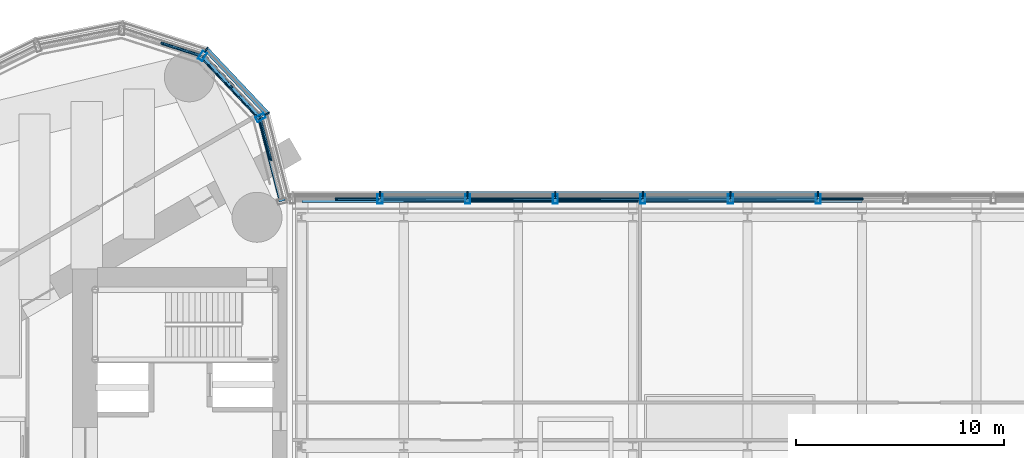
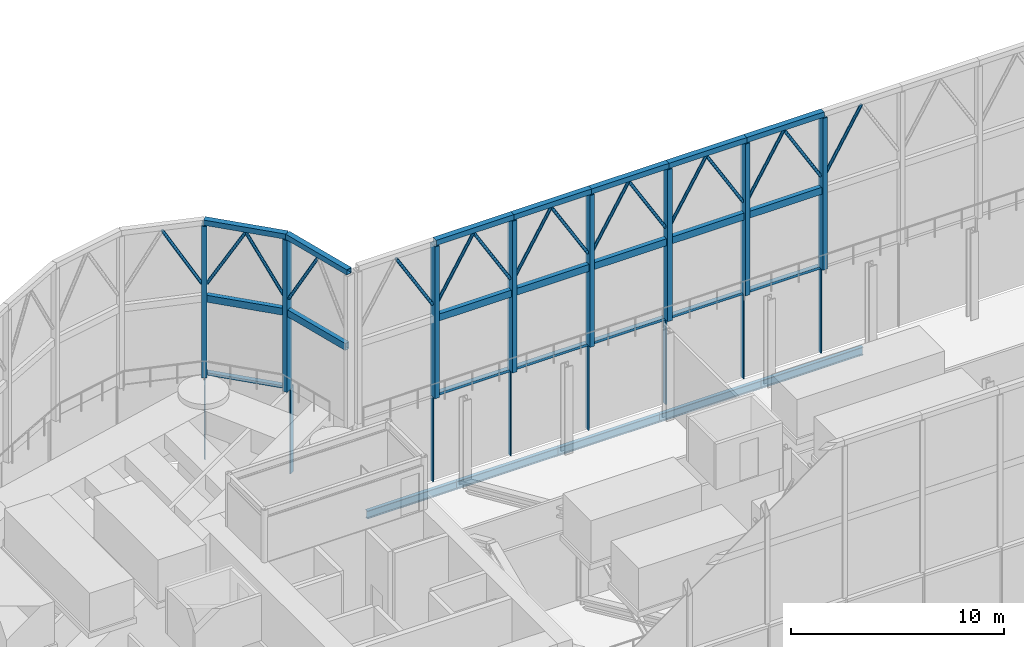
# One storey, part 13 of 33: 52 members, 5 beams, 4 elements without a shape of their own.
"""IFC4 building model written with IfcOpenShell, lengths in metres."""

from ifc_helpers import new_model, si_unit, direction, frame, origin, origin_2d, place, context, subcontext, project, spatial, rectangle, hollow_rectangle, hollow_circle, i_section, extrude, material, material_profile, profile_set, type_object, element, aggregate, save


model = new_model("IFC4")

# Units and contexts
model_context = context("Model", 3, precision=1e-05, world=origin(), true_north=direction((0.0, 1.0)))
body_context = subcontext(model_context, "Body", "Model", "MODEL_VIEW")
ifc_project = project(units=[si_unit("LENGTHUNIT", "METRE"), si_unit("AREAUNIT", "SQUARE_METRE"), si_unit("VOLUMEUNIT", "CUBIC_METRE"), si_unit("PLANEANGLEUNIT", "RADIAN"), si_unit("MASSUNIT", "GRAM", prefix="KILO")], contexts=[model_context])

# Site, building, storey
site_placement = place(None, origin())
site = spatial("IfcSite", under=ifc_project, at=site_placement, CompositionType="ELEMENT")
building_placement = place(site_placement, origin())
building = spatial("IfcBuilding", under=site, at=building_placement, Name="Lancet Gate Hotel", CompositionType="ELEMENT")
storey_placement = place(building_placement, frame((0.0, 0.0, 268.300048828125)))
storey = spatial("IfcBuildingStorey", under=building, at=storey_placement, Name="L70", CompositionType="ELEMENT", Elevation=268.300048828125)

# Curtain wall, members
ifc_material_1 = material(Name="Aluminium curtain wall", Category="aluminium")
curtain_wall_type_1 = type_object("IfcCurtainWallType", Name="Lantern crown glazing", PredefinedType="USERDEFINED", material=ifc_material_1)
curtain_wall_1_placement = place(storey_placement, origin())
curtain_wall_1 = element("IfcCurtainWall", 1, at=curtain_wall_1_placement, inside=storey, type_object=curtain_wall_type_1, Name="T1 L70 curtain wall 1", ObjectType="LANTERN GLAZING", PredefinedType="USERDEFINED")
ifc_material_2 = material(Name="Aluminium mullion", Category="aluminium")
ifc_material_profile_1 = material_profile(ifc_material_2, rectangle(XDim=0.06494140625, YDim=0.25, at=origin_2d()), Name="MULLION 65x250")
ifc_profile_set_1 = profile_set([ifc_material_profile_1], Name="Aluminium mullion")
member_type_1 = type_object("IfcMemberType", Name="Aluminium mullion 65x250", PredefinedType="MULLION", material=ifc_profile_set_1)
member_1_placement = place(storey_placement, frame((-28.56005859375, 15.97216796875, 0.0), z_axis=(0.0, 0.0, 1.0), x_axis=(-0.483627322447, 0.875274021654, 0.0)))
member_1 = element("IfcMember", 2, at=member_1_placement, type_object=member_type_1, Name="T1 L70 curtain wall 1 mullion 2", PredefinedType="MULLION", context=body_context, shape_type="SweptSolid", body=[
    extrude(rectangle(XDim=0.06494140625, YDim=0.25, at=origin_2d()), origin(), (0.0, 0.0, 1.0), 5.0),
])
member_2_placement = place(storey_placement, frame((-31.476318359375, 19.0576171875, 0.0), z_axis=(0.0, 0.0, 1.0), x_axis=(-0.846612863, 0.532209225966, 0.0)))
member_2 = element("IfcMember", 3, at=member_2_placement, type_object=member_type_1, Name="T1 L70 curtain wall 1 mullion 3", PredefinedType="MULLION", context=body_context, shape_type="SweptSolid", body=[
    extrude(rectangle(XDim=0.06494140625, YDim=0.25, at=origin_2d()), origin(), (0.0, 0.0, 1.0), 5.0),
])

curtain_wall_2_placement = place(storey_placement, origin())
curtain_wall_2 = element("IfcCurtainWall", 4, at=curtain_wall_2_placement, inside=storey, type_object=curtain_wall_type_1, Name="Bridge block L70 curtain wall N", ObjectType="LANTERN GLAZING", PredefinedType="USERDEFINED")
member_3_placement = place(storey_placement, frame((-2.103759765625, 12.1201171875, 0.0), z_axis=(0.0, 0.0, 1.0), x_axis=(-1.0, 0.0, 0.0)))
member_3 = element("IfcMember", 5, at=member_3_placement, type_object=member_type_1, Name="Bridge block L70 curtain wall N mullion 8", PredefinedType="MULLION", context=body_context, shape_type="SweptSolid", body=[
    extrude(rectangle(XDim=0.06494140625, YDim=0.25, at=origin_2d()), origin(), (0.0, 0.0, 1.0), 5.0),
])
member_4_placement = place(storey_placement, frame((-6.3115234375, 12.1201171875, 0.0), z_axis=(0.0, 0.0, 1.0), x_axis=(-1.0, 0.0, 0.0)))
member_4 = element("IfcMember", 6, at=member_4_placement, type_object=member_type_1, Name="Bridge block L70 curtain wall N mullion 9", PredefinedType="MULLION", context=body_context, shape_type="SweptSolid", body=[
    extrude(rectangle(XDim=0.06494140625, YDim=0.25, at=origin_2d()), origin(), (0.0, 0.0, 1.0), 5.0),
])
member_5_placement = place(storey_placement, frame((-10.519287109375, 12.1201171875, 0.0), z_axis=(0.0, 0.0, 1.0), x_axis=(-1.0, 0.0, 0.0)))
member_5 = element("IfcMember", 7, at=member_5_placement, type_object=member_type_1, Name="Bridge block L70 curtain wall N mullion 10", PredefinedType="MULLION", context=body_context, shape_type="SweptSolid", body=[
    extrude(rectangle(XDim=0.06494140625, YDim=0.25, at=origin_2d()), origin(), (0.0, 0.0, 1.0), 5.0),
])
member_6_placement = place(storey_placement, frame((-14.726806640625, 12.1201171875, 0.0), z_axis=(0.0, 0.0, 1.0), x_axis=(-1.0, 0.0, 0.0)))
member_6 = element("IfcMember", 8, at=member_6_placement, type_object=member_type_1, Name="Bridge block L70 curtain wall N mullion 11", PredefinedType="MULLION", context=body_context, shape_type="SweptSolid", body=[
    extrude(rectangle(XDim=0.06494140625, YDim=0.25, at=origin_2d()), origin(), (0.0, 0.0, 1.0), 5.0),
])
member_7_placement = place(storey_placement, frame((-18.9345703125, 12.1201171875, 0.0), z_axis=(0.0, 0.0, 1.0), x_axis=(-1.0, 0.0, 0.0)))
member_7 = element("IfcMember", 9, at=member_7_placement, type_object=member_type_1, Name="Bridge block L70 curtain wall N mullion 12", PredefinedType="MULLION", context=body_context, shape_type="SweptSolid", body=[
    extrude(rectangle(XDim=0.06494140625, YDim=0.25, at=origin_2d()), origin(), (0.0, 0.0, 1.0), 5.0),
])
member_8_placement = place(storey_placement, frame((-23.142333984375, 12.1201171875, 0.0), z_axis=(0.0, 0.0, 1.0), x_axis=(-1.0, 0.0, 0.0)))
member_8 = element("IfcMember", 10, at=member_8_placement, type_object=member_type_1, Name="Bridge block L70 curtain wall N mullion 13", PredefinedType="MULLION", context=body_context, shape_type="SweptSolid", body=[
    extrude(rectangle(XDim=0.06494140625, YDim=0.25, at=origin_2d()), origin(), (0.0, 0.0, 1.0), 5.0),
])

# Member
ifc_material_3 = material(Name="Aluminium transom", Category="aluminium")
ifc_material_profile_2 = material_profile(ifc_material_3, rectangle(XDim=0.25, YDim=0.14990234375, at=origin_2d()), Name="TRANSOM 250x150")
ifc_profile_set_2 = profile_set([ifc_material_profile_2], Name="Aluminium transom")
member_type_2 = type_object("IfcMemberType", Name="Aluminium transom 250x150", PredefinedType="USERDEFINED", material=ifc_profile_set_2)
member_9_placement = place(storey_placement, frame((-28.58251953125, 15.995849609375, 4.925048828125), z_axis=(-0.686880731091, 0.726770157103, 0.0), x_axis=(-0.726770157103, -0.686880731091, 0.0)))
member_9 = element("IfcMember", 11, at=member_9_placement, type_object=member_type_2, Name="T1 L70 curtain wall 1 transom 2", ObjectType="TRANSOM", PredefinedType="USERDEFINED", context=body_context, shape_type="SweptSolid", body=[
    extrude(rectangle(XDim=0.25, YDim=0.14990234375, at=origin_2d()), origin(), (0.0, 0.0, 1.0), 4.18017578125),
])

aggregate(curtain_wall_1, [member_1, member_2, member_9])

member_10_placement = place(storey_placement, frame((-2.13623046875, 12.1201171875, 4.925048828125), z_axis=(-1.0, 0.0, 0.0), x_axis=(0.0, -1.0, 0.0)))
member_10 = element("IfcMember", 12, at=member_10_placement, type_object=member_type_2, Name="Bridge block L70 curtain wall N transom 8", ObjectType="TRANSOM", PredefinedType="USERDEFINED", context=body_context, shape_type="SweptSolid", body=[
    extrude(rectangle(XDim=0.25, YDim=0.14990234375, at=origin_2d()), origin(), (0.0, 0.0, 1.0), 4.142822265625),
])

member_11_placement = place(storey_placement, frame((-6.343994140625, 12.1201171875, 4.925048828125), z_axis=(-1.0, 0.0, 0.0), x_axis=(0.0, -1.0, 0.0)))
member_11 = element("IfcMember", 13, at=member_11_placement, type_object=member_type_2, Name="Bridge block L70 curtain wall N transom 9", ObjectType="TRANSOM", PredefinedType="USERDEFINED", context=body_context, shape_type="SweptSolid", body=[
    extrude(rectangle(XDim=0.25, YDim=0.14990234375, at=origin_2d()), origin(), (0.0, 0.0, 1.0), 4.142822265625),
])

member_12_placement = place(storey_placement, frame((-10.5517578125, 12.1201171875, 4.925048828125), z_axis=(-1.0, 0.0, 0.0), x_axis=(0.0, -1.0, 0.0)))
member_12 = element("IfcMember", 14, at=member_12_placement, type_object=member_type_2, Name="Bridge block L70 curtain wall N transom 10", ObjectType="TRANSOM", PredefinedType="USERDEFINED", context=body_context, shape_type="SweptSolid", body=[
    extrude(rectangle(XDim=0.25, YDim=0.14990234375, at=origin_2d()), origin(), (0.0, 0.0, 1.0), 4.142578125),
])

member_13_placement = place(storey_placement, frame((-14.759521484375, 12.1201171875, 4.925048828125), z_axis=(-1.0, 0.0, 0.0), x_axis=(0.0, -1.0, 0.0)))
member_13 = element("IfcMember", 15, at=member_13_placement, type_object=member_type_2, Name="Bridge block L70 curtain wall N transom 11", ObjectType="TRANSOM", PredefinedType="USERDEFINED", context=body_context, shape_type="SweptSolid", body=[
    extrude(rectangle(XDim=0.25, YDim=0.14990234375, at=origin_2d()), origin(), (0.0, 0.0, 1.0), 4.142578125),
])

member_14_placement = place(storey_placement, frame((-18.967041015625, 12.1201171875, 4.925048828125), z_axis=(-1.0, 0.0, 0.0), x_axis=(0.0, -1.0, 0.0)))
member_14 = element("IfcMember", 16, at=member_14_placement, type_object=member_type_2, Name="Bridge block L70 curtain wall N transom 12", ObjectType="TRANSOM", PredefinedType="USERDEFINED", context=body_context, shape_type="SweptSolid", body=[
    extrude(rectangle(XDim=0.25, YDim=0.14990234375, at=origin_2d()), origin(), (0.0, 0.0, 1.0), 4.142822265625),
])

aggregate(curtain_wall_2, [member_3, member_4, member_5, member_6, member_7, member_8, member_10, member_11, member_12, member_13, member_14])

# Beams
ifc_material_4 = material(Name="Steel S355", Category="steel")
ifc_material_profile_3 = material_profile(ifc_material_4, i_section(OverallWidth=0.19140625, OverallDepth=0.4599609375, WebThickness=0.010009765625, FlangeThickness=0.01611328125, FilletRadius=0.01025390625, at=origin_2d()), Name="UKB 457x191x82")
ifc_profile_set_3 = profile_set([ifc_material_profile_3], Name="Steel S355")
beam_type = type_object("IfcBeamType", Name="Block edge beam UKB 457x191x82", PredefinedType="SPANDREL", material=ifc_profile_set_3)
beam_placement = place(storey_placement, frame((-26.89990234375, 11.800048828125, -0.429931640625), z_axis=(1.0, 0.0, 0.0), x_axis=(0.0, 1.0, 0.0)))
element("IfcBeam", 17, at=beam_placement, inside=storey, type_object=beam_type, Name="Block edge beam N 0-1 L70", PredefinedType="SPANDREL", context=body_context, shape_type="SweptSolid", body=[
    extrude(i_section(OverallWidth=0.19140625, OverallDepth=0.4599609375, WebThickness=0.010009765625, FlangeThickness=0.01611328125, FilletRadius=0.01025390625, at=origin_2d()), origin(), (0.0, 0.0, 1.0), 4.89990234375),
])
for number, where, z_axis, x_axis, name in (
    (18, (-22.0, 11.800048828125, -0.429931640625), (1.0, 0.0, 0.0), (0.0, 1.0, 0.0), "Block edge beam N 1-2 L70"),
    (19, (-16.5, 11.800048828125, -0.429931640625), (1.0, 0.0, 0.0), (0.0, 1.0, 0.0), "Block edge beam N 2-3 L70"),
    (20, (-11.0, 11.800048828125, -0.429931640625), (1.0, 0.0, 0.0), (0.0, 1.0, 0.0), "Block edge beam N 3-4 L70"),
    (21, (-5.5, 11.800048828125, -0.429931640625), (1.0, 0.0, 0.0), (0.0, 1.0, 0.0), "Block edge beam N 4-5 L70"),
):
    element("IfcBeam", number, at=place(storey_placement, frame(where, z_axis=z_axis, x_axis=x_axis)), inside=storey, type_object=beam_type, Name=name, PredefinedType="SPANDREL", context=body_context, shape_type="SweptSolid", body=[
        extrude(i_section(OverallWidth=0.19140625, OverallDepth=0.4599609375, WebThickness=0.010009765625, FlangeThickness=0.01611328125, FilletRadius=0.01025390625, at=origin_2d()), origin(), (0.0, 0.0, 1.0), 5.5),
    ])

# Curtain wall, members
ifc_material_5 = material(Name="Steel framed lantern screen", Category="steel")
curtain_wall_type_2 = type_object("IfcCurtainWallType", Name="Lantern screen", PredefinedType="USERDEFINED", material=ifc_material_5)
curtain_wall_3_placement = place(storey_placement, origin())
curtain_wall_3 = element("IfcCurtainWall", 22, at=curtain_wall_3_placement, inside=storey, type_object=curtain_wall_type_2, Name="T1 lantern screen 1", ObjectType="LANTERN SCREEN", PredefinedType="USERDEFINED")
ifc_material_6 = material(Name="Steel S355", Category="steel")
ifc_material_profile_4 = material_profile(ifc_material_6, hollow_rectangle(XDim=0.300048828125, YDim=0.300048828125, WallThickness=0.012451171875, at=origin_2d()), Name="RHS 300x300x12.5")
ifc_profile_set_4 = profile_set([ifc_material_profile_4], Name="Steel S355")
member_type_3 = type_object("IfcMemberType", Name="Lantern cap beam RHS 300x300x12.5", PredefinedType="USERDEFINED", material=ifc_profile_set_4)
member_15_placement = place(storey_placement, frame((-27.8486328125, 11.771484375, 13.849853515625), z_axis=(-0.249694866457, 0.968324570413, 0.0), x_axis=(-0.968324570413, -0.249694866457, 0.0)))
member_15 = element("IfcMember", 23, at=member_15_placement, type_object=member_type_3, Name="T1 lantern screen 1 cap 1", ObjectType="LANTERN FRAME", PredefinedType="USERDEFINED", context=body_context, shape_type="SweptSolid", body=[
    extrude(hollow_rectangle(XDim=0.300048828125, YDim=0.300048828125, WallThickness=0.012451171875, at=origin_2d()), origin(), (0.0, 0.0, 1.0), 4.152587890625),
])
member_16_placement = place(storey_placement, frame((-28.885498046875, 15.79248046875, 13.849853515625), z_axis=(-0.686890132184, 0.726761271883, 0.0), x_axis=(-0.726761271883, -0.686890132184, 0.0)))
member_16 = element("IfcMember", 24, at=member_16_placement, type_object=member_type_3, Name="T1 lantern screen 1 cap 2", ObjectType="LANTERN FRAME", PredefinedType="USERDEFINED", context=body_context, shape_type="SweptSolid", body=[
    extrude(hollow_rectangle(XDim=0.300048828125, YDim=0.300048828125, WallThickness=0.012451171875, at=origin_2d()), origin(), (0.0, 0.0, 1.0), 4.059814453125),
])

curtain_wall_4_placement = place(storey_placement, origin())
curtain_wall_4 = element("IfcCurtainWall", 25, at=curtain_wall_4_placement, inside=storey, type_object=curtain_wall_type_2, Name="Bridge block lantern screen N", ObjectType="LANTERN SCREEN", PredefinedType="USERDEFINED")
member_17_placement = place(storey_placement, frame((-2.103759765625, 11.8798828125, 13.849853515625), z_axis=(-1.0, 0.0, 0.0), x_axis=(0.0, -1.0, 0.0)))
member_17 = element("IfcMember", 26, at=member_17_placement, type_object=member_type_3, Name="Bridge block lantern screen N cap 8", ObjectType="LANTERN FRAME", PredefinedType="USERDEFINED", context=body_context, shape_type="SweptSolid", body=[
    extrude(hollow_rectangle(XDim=0.300048828125, YDim=0.300048828125, WallThickness=0.012451171875, at=origin_2d()), origin(), (0.0, 0.0, 1.0), 4.207763671875),
])
member_18_placement = place(storey_placement, frame((-6.3115234375, 11.8798828125, 13.849853515625), z_axis=(-1.0, 0.0, 0.0), x_axis=(0.0, -1.0, 0.0)))
member_18 = element("IfcMember", 27, at=member_18_placement, type_object=member_type_3, Name="Bridge block lantern screen N cap 9", ObjectType="LANTERN FRAME", PredefinedType="USERDEFINED", context=body_context, shape_type="SweptSolid", body=[
    extrude(hollow_rectangle(XDim=0.300048828125, YDim=0.300048828125, WallThickness=0.012451171875, at=origin_2d()), origin(), (0.0, 0.0, 1.0), 4.207763671875),
])
member_19_placement = place(storey_placement, frame((-10.519287109375, 11.8798828125, 13.849853515625), z_axis=(-1.0, 0.0, 0.0), x_axis=(0.0, -1.0, 0.0)))
member_19 = element("IfcMember", 28, at=member_19_placement, type_object=member_type_3, Name="Bridge block lantern screen N cap 10", ObjectType="LANTERN FRAME", PredefinedType="USERDEFINED", context=body_context, shape_type="SweptSolid", body=[
    extrude(hollow_rectangle(XDim=0.300048828125, YDim=0.300048828125, WallThickness=0.012451171875, at=origin_2d()), origin(), (0.0, 0.0, 1.0), 4.20751953125),
])
member_20_placement = place(storey_placement, frame((-14.726806640625, 11.8798828125, 13.849853515625), z_axis=(-1.0, 0.0, 0.0), x_axis=(0.0, -1.0, 0.0)))
member_20 = element("IfcMember", 29, at=member_20_placement, type_object=member_type_3, Name="Bridge block lantern screen N cap 11", ObjectType="LANTERN FRAME", PredefinedType="USERDEFINED", context=body_context, shape_type="SweptSolid", body=[
    extrude(hollow_rectangle(XDim=0.300048828125, YDim=0.300048828125, WallThickness=0.012451171875, at=origin_2d()), origin(), (0.0, 0.0, 1.0), 4.207763671875),
])
member_21_placement = place(storey_placement, frame((-18.9345703125, 11.8798828125, 13.849853515625), z_axis=(-1.0, 0.0, 0.0), x_axis=(0.0, -1.0, 0.0)))
member_21 = element("IfcMember", 30, at=member_21_placement, type_object=member_type_3, Name="Bridge block lantern screen N cap 12", ObjectType="LANTERN FRAME", PredefinedType="USERDEFINED", context=body_context, shape_type="SweptSolid", body=[
    extrude(hollow_rectangle(XDim=0.300048828125, YDim=0.300048828125, WallThickness=0.012451171875, at=origin_2d()), origin(), (0.0, 0.0, 1.0), 4.207763671875),
])

# Member
ifc_material_7 = material(Name="Steel S355", Category="steel")
ifc_material_profile_5 = material_profile(ifc_material_7, hollow_rectangle(XDim=0.25, YDim=0.449951171875, WallThickness=0.01611328125, at=origin_2d()), Name="RHS 450x250x16")
ifc_profile_set_5 = profile_set([ifc_material_profile_5], Name="Steel S355")
member_type_4 = type_object("IfcMemberType", Name="Lantern frame post RHS 450x250x16", PredefinedType="USERDEFINED", material=ifc_profile_set_5)
member_22_placement = place(storey_placement, frame((-28.885498046875, 15.79248046875, 5.0), z_axis=(0.0, 0.0, 1.0), x_axis=(-0.483627322447, 0.875274021654, 0.0)))
member_22 = element("IfcMember", 31, at=member_22_placement, type_object=member_type_4, Name="T1 lantern screen 1 frame post 2", ObjectType="LANTERN FRAME", PredefinedType="USERDEFINED", context=body_context, shape_type="SweptSolid", body=[
    extrude(hollow_rectangle(XDim=0.25, YDim=0.449951171875, WallThickness=0.01611328125, at=origin_2d()), origin(), (0.0, 0.0, 1.0), 8.699951171875),
])

member_23_placement = place(storey_placement, frame((-31.674072265625, 18.742919921875, 5.0), z_axis=(0.0, 0.0, 1.0), x_axis=(-0.846612863, 0.532209225966, 0.0)))
member_23 = element("IfcMember", 32, at=member_23_placement, type_object=member_type_4, Name="T1 lantern screen 1 frame post 3", ObjectType="LANTERN FRAME", PredefinedType="USERDEFINED", context=body_context, shape_type="SweptSolid", body=[
    extrude(hollow_rectangle(XDim=0.25, YDim=0.449951171875, WallThickness=0.01611328125, at=origin_2d()), origin(), (0.0, 0.0, 1.0), 8.699951171875),
])

member_24_placement = place(storey_placement, frame((-2.103759765625, 11.8798828125, 5.0), z_axis=(0.0, 0.0, 1.0), x_axis=(-1.0, 0.0, 0.0)))
member_24 = element("IfcMember", 33, at=member_24_placement, type_object=member_type_4, Name="Bridge block lantern screen N frame post 8", ObjectType="LANTERN FRAME", PredefinedType="USERDEFINED", context=body_context, shape_type="SweptSolid", body=[
    extrude(hollow_rectangle(XDim=0.25, YDim=0.449951171875, WallThickness=0.01611328125, at=origin_2d()), origin(), (0.0, 0.0, 1.0), 8.699951171875),
])

member_25_placement = place(storey_placement, frame((-6.3115234375, 11.8798828125, 5.0), z_axis=(0.0, 0.0, 1.0), x_axis=(-1.0, 0.0, 0.0)))
member_25 = element("IfcMember", 34, at=member_25_placement, type_object=member_type_4, Name="Bridge block lantern screen N frame post 9", ObjectType="LANTERN FRAME", PredefinedType="USERDEFINED", context=body_context, shape_type="SweptSolid", body=[
    extrude(hollow_rectangle(XDim=0.25, YDim=0.449951171875, WallThickness=0.01611328125, at=origin_2d()), origin(), (0.0, 0.0, 1.0), 8.699951171875),
])

member_26_placement = place(storey_placement, frame((-10.519287109375, 11.8798828125, 5.0), z_axis=(0.0, 0.0, 1.0), x_axis=(-1.0, 0.0, 0.0)))
member_26 = element("IfcMember", 35, at=member_26_placement, type_object=member_type_4, Name="Bridge block lantern screen N frame post 10", ObjectType="LANTERN FRAME", PredefinedType="USERDEFINED", context=body_context, shape_type="SweptSolid", body=[
    extrude(hollow_rectangle(XDim=0.25, YDim=0.449951171875, WallThickness=0.01611328125, at=origin_2d()), origin(), (0.0, 0.0, 1.0), 8.699951171875),
])

member_27_placement = place(storey_placement, frame((-14.726806640625, 11.8798828125, 5.0), z_axis=(0.0, 0.0, 1.0), x_axis=(-1.0, 0.0, 0.0)))
member_27 = element("IfcMember", 36, at=member_27_placement, type_object=member_type_4, Name="Bridge block lantern screen N frame post 11", ObjectType="LANTERN FRAME", PredefinedType="USERDEFINED", context=body_context, shape_type="SweptSolid", body=[
    extrude(hollow_rectangle(XDim=0.25, YDim=0.449951171875, WallThickness=0.01611328125, at=origin_2d()), origin(), (0.0, 0.0, 1.0), 8.699951171875),
])

member_28_placement = place(storey_placement, frame((-18.9345703125, 11.8798828125, 5.0), z_axis=(0.0, 0.0, 1.0), x_axis=(-1.0, 0.0, 0.0)))
member_28 = element("IfcMember", 37, at=member_28_placement, type_object=member_type_4, Name="Bridge block lantern screen N frame post 12", ObjectType="LANTERN FRAME", PredefinedType="USERDEFINED", context=body_context, shape_type="SweptSolid", body=[
    extrude(hollow_rectangle(XDim=0.25, YDim=0.449951171875, WallThickness=0.01611328125, at=origin_2d()), origin(), (0.0, 0.0, 1.0), 8.699951171875),
])

member_29_placement = place(storey_placement, frame((-23.142333984375, 11.8798828125, 5.0), z_axis=(0.0, 0.0, 1.0), x_axis=(-1.0, 0.0, 0.0)))
member_29 = element("IfcMember", 38, at=member_29_placement, type_object=member_type_4, Name="Bridge block lantern screen N frame post 13", ObjectType="LANTERN FRAME", PredefinedType="USERDEFINED", context=body_context, shape_type="SweptSolid", body=[
    extrude(hollow_rectangle(XDim=0.25, YDim=0.449951171875, WallThickness=0.01611328125, at=origin_2d()), origin(), (0.0, 0.0, 1.0), 8.699951171875),
])

ifc_material_8 = material(Name="Steel S355", Category="steel")
ifc_material_profile_6 = material_profile(ifc_material_8, hollow_circle(Radius=0.084228515625, WallThickness=0.008056640625, at=origin_2d()), Name="CHS 168.3x8.0")
ifc_profile_set_6 = profile_set([ifc_material_profile_6], Name="Steel S355")
member_type_5 = type_object("IfcMemberType", Name="Lantern lancet head CHS 168.3x8", PredefinedType="USERDEFINED", material=ifc_profile_set_6)
member_30_placement = place(storey_placement, frame((-28.854248046875, 15.67138671875, 10.300048828125), z_axis=(0.126602069329, -0.491114493503, 0.861845966697), x_axis=(0.968342721756, 0.249624464389, 0.0)))
member_30 = element("IfcMember", 39, at=member_30_placement, type_object=member_type_5, Name="T1 lantern screen 1 lancet head 1B", ObjectType="LANTERN FRAME", PredefinedType="USERDEFINED", context=body_context, shape_type="SweptSolid", body=[
    extrude(hollow_circle(Radius=0.084228515625, WallThickness=0.008056640625, at=origin_2d()), origin(), (0.0, 0.0, 1.0), 3.84716796875),
])

member_31_placement = place(storey_placement, frame((-28.971435546875, 15.88330078125, 10.300048828125), z_axis=(-0.342156616687, 0.362013065239, 0.867107484833), x_axis=(-0.726757168503, -0.686894473722, 0.0)))
member_31 = element("IfcMember", 40, at=member_31_placement, type_object=member_type_5, Name="T1 lantern screen 1 lancet head 2A", ObjectType="LANTERN FRAME", PredefinedType="USERDEFINED", context=body_context, shape_type="SweptSolid", body=[
    extrude(hollow_circle(Radius=0.084228515625, WallThickness=0.008056640625, at=origin_2d()), origin(), (0.0, 0.0, 1.0), 3.82373046875),
])

member_32_placement = place(storey_placement, frame((-31.588134765625, 18.652099609375, 10.300048828125), z_axis=(0.342148707832, -0.362068543033, 0.867087441885), x_axis=(0.726817636506, 0.686830490925, 0.0)))
member_32 = element("IfcMember", 41, at=member_32_placement, type_object=member_type_5, Name="T1 lantern screen 1 lancet head 2B", ObjectType="LANTERN FRAME", PredefinedType="USERDEFINED", context=body_context, shape_type="SweptSolid", body=[
    extrude(hollow_circle(Radius=0.084228515625, WallThickness=0.008056640625, at=origin_2d()), origin(), (0.0, 0.0, 1.0), 3.823974609375),
])

member_33_placement = place(storey_placement, frame((-31.793212890625, 18.781005859375, 10.300048828125), z_axis=(-0.474572265672, 0.151380444223, 0.867101566001), x_axis=(-0.303896621532, -0.952705013853, 0.0)))
member_33 = element("IfcMember", 42, at=member_33_placement, type_object=member_type_5, Name="T1 lantern screen 1 lancet head 3A", ObjectType="LANTERN FRAME", PredefinedType="USERDEFINED", context=body_context, shape_type="SweptSolid", body=[
    extrude(hollow_circle(Radius=0.084228515625, WallThickness=0.008056640625, at=origin_2d()), origin(), (0.0, 0.0, 1.0), 3.823974609375),
])

member_34_placement = place(storey_placement, frame((-1.978759765625, 11.8798828125, 10.300048828125), z_axis=(0.512467285429, 0.0, 0.858706749342), x_axis=(0.0, 1.0, 0.0)))
member_34 = element("IfcMember", 43, at=member_34_placement, type_object=member_type_5, Name="Bridge block lantern screen N lancet head 7B", ObjectType="LANTERN FRAME", PredefinedType="USERDEFINED", context=body_context, shape_type="SweptSolid", body=[
    extrude(hollow_circle(Radius=0.084228515625, WallThickness=0.008056640625, at=origin_2d()), origin(), (0.0, 0.0, 1.0), 3.861328125),
])

member_35_placement = place(storey_placement, frame((-2.228759765625, 11.8798828125, 10.300048828125), z_axis=(-0.512513906449, 0.0, 0.858678924684), x_axis=(0.0, -1.0, 0.0)))
member_35 = element("IfcMember", 44, at=member_35_placement, type_object=member_type_5, Name="Bridge block lantern screen N lancet head 8A", ObjectType="LANTERN FRAME", PredefinedType="USERDEFINED", context=body_context, shape_type="SweptSolid", body=[
    extrude(hollow_circle(Radius=0.084228515625, WallThickness=0.008056640625, at=origin_2d()), origin(), (0.0, 0.0, 1.0), 3.861328125),
])

member_36_placement = place(storey_placement, frame((-6.1865234375, 11.8798828125, 10.300048828125), z_axis=(0.512467285429, 0.0, 0.858706749342), x_axis=(0.0, 1.0, 0.0)))
member_36 = element("IfcMember", 45, at=member_36_placement, type_object=member_type_5, Name="Bridge block lantern screen N lancet head 8B", ObjectType="LANTERN FRAME", PredefinedType="USERDEFINED", context=body_context, shape_type="SweptSolid", body=[
    extrude(hollow_circle(Radius=0.084228515625, WallThickness=0.008056640625, at=origin_2d()), origin(), (0.0, 0.0, 1.0), 3.861328125),
])

member_37_placement = place(storey_placement, frame((-6.4365234375, 11.8798828125, 10.300048828125), z_axis=(-0.512467285429, 0.0, 0.858706749342), x_axis=(0.0, -1.0, 0.0)))
member_37 = element("IfcMember", 46, at=member_37_placement, type_object=member_type_5, Name="Bridge block lantern screen N lancet head 9A", ObjectType="LANTERN FRAME", PredefinedType="USERDEFINED", context=body_context, shape_type="SweptSolid", body=[
    extrude(hollow_circle(Radius=0.084228515625, WallThickness=0.008056640625, at=origin_2d()), origin(), (0.0, 0.0, 1.0), 3.861328125),
])

member_38_placement = place(storey_placement, frame((-10.394287109375, 11.8798828125, 10.300048828125), z_axis=(0.512513906449, 0.0, 0.858678924684), x_axis=(0.0, 1.0, 0.0)))
member_38 = element("IfcMember", 47, at=member_38_placement, type_object=member_type_5, Name="Bridge block lantern screen N lancet head 9B", ObjectType="LANTERN FRAME", PredefinedType="USERDEFINED", context=body_context, shape_type="SweptSolid", body=[
    extrude(hollow_circle(Radius=0.084228515625, WallThickness=0.008056640625, at=origin_2d()), origin(), (0.0, 0.0, 1.0), 3.861328125),
])

member_39_placement = place(storey_placement, frame((-10.644287109375, 11.8798828125, 10.300048828125), z_axis=(-0.512467285429, 0.0, 0.858706749342), x_axis=(0.0, -1.0, 0.0)))
member_39 = element("IfcMember", 48, at=member_39_placement, type_object=member_type_5, Name="Bridge block lantern screen N lancet head 10A", ObjectType="LANTERN FRAME", PredefinedType="USERDEFINED", context=body_context, shape_type="SweptSolid", body=[
    extrude(hollow_circle(Radius=0.084228515625, WallThickness=0.008056640625, at=origin_2d()), origin(), (0.0, 0.0, 1.0), 3.861328125),
])

member_40_placement = place(storey_placement, frame((-14.601806640625, 11.8798828125, 10.300048828125), z_axis=(0.512467285429, 0.0, 0.858706749342), x_axis=(0.0, 1.0, 0.0)))
member_40 = element("IfcMember", 49, at=member_40_placement, type_object=member_type_5, Name="Bridge block lantern screen N lancet head 10B", ObjectType="LANTERN FRAME", PredefinedType="USERDEFINED", context=body_context, shape_type="SweptSolid", body=[
    extrude(hollow_circle(Radius=0.084228515625, WallThickness=0.008056640625, at=origin_2d()), origin(), (0.0, 0.0, 1.0), 3.861328125),
])

member_41_placement = place(storey_placement, frame((-14.851806640625, 11.8798828125, 10.300048828125), z_axis=(-0.512513906449, 0.0, 0.858678924684), x_axis=(0.0, -1.0, 0.0)))
member_41 = element("IfcMember", 50, at=member_41_placement, type_object=member_type_5, Name="Bridge block lantern screen N lancet head 11A", ObjectType="LANTERN FRAME", PredefinedType="USERDEFINED", context=body_context, shape_type="SweptSolid", body=[
    extrude(hollow_circle(Radius=0.084228515625, WallThickness=0.008056640625, at=origin_2d()), origin(), (0.0, 0.0, 1.0), 3.861328125),
])

member_42_placement = place(storey_placement, frame((-18.8095703125, 11.8798828125, 10.300048828125), z_axis=(0.512467285429, 0.0, 0.858706749342), x_axis=(0.0, 1.0, 0.0)))
member_42 = element("IfcMember", 51, at=member_42_placement, type_object=member_type_5, Name="Bridge block lantern screen N lancet head 11B", ObjectType="LANTERN FRAME", PredefinedType="USERDEFINED", context=body_context, shape_type="SweptSolid", body=[
    extrude(hollow_circle(Radius=0.084228515625, WallThickness=0.008056640625, at=origin_2d()), origin(), (0.0, 0.0, 1.0), 3.861328125),
])

member_43_placement = place(storey_placement, frame((-19.0595703125, 11.8798828125, 10.300048828125), z_axis=(-0.512513906449, 0.0, 0.858678924684), x_axis=(0.0, -1.0, 0.0)))
member_43 = element("IfcMember", 52, at=member_43_placement, type_object=member_type_5, Name="Bridge block lantern screen N lancet head 12A", ObjectType="LANTERN FRAME", PredefinedType="USERDEFINED", context=body_context, shape_type="SweptSolid", body=[
    extrude(hollow_circle(Radius=0.084228515625, WallThickness=0.008056640625, at=origin_2d()), origin(), (0.0, 0.0, 1.0), 3.861328125),
])

member_44_placement = place(storey_placement, frame((-23.017333984375, 11.8798828125, 10.300048828125), z_axis=(0.512467285429, 0.0, 0.858706749342), x_axis=(0.0, 1.0, 0.0)))
member_44 = element("IfcMember", 53, at=member_44_placement, type_object=member_type_5, Name="Bridge block lantern screen N lancet head 12B", ObjectType="LANTERN FRAME", PredefinedType="USERDEFINED", context=body_context, shape_type="SweptSolid", body=[
    extrude(hollow_circle(Radius=0.084228515625, WallThickness=0.008056640625, at=origin_2d()), origin(), (0.0, 0.0, 1.0), 3.861328125),
])

member_45_placement = place(storey_placement, frame((-23.267333984375, 11.8798828125, 10.300048828125), z_axis=(-0.512467285429, 0.0, 0.858706749342), x_axis=(0.0, -1.0, 0.0)))
member_45 = element("IfcMember", 54, at=member_45_placement, type_object=member_type_5, Name="Bridge block lantern screen N lancet head 13A", ObjectType="LANTERN FRAME", PredefinedType="USERDEFINED", context=body_context, shape_type="SweptSolid", body=[
    extrude(hollow_circle(Radius=0.084228515625, WallThickness=0.008056640625, at=origin_2d()), origin(), (0.0, 0.0, 1.0), 3.861328125),
])

ifc_material_9 = material(Name="Steel S355", Category="steel")
ifc_material_profile_7 = material_profile(ifc_material_9, hollow_rectangle(XDim=0.25, YDim=0.39990234375, WallThickness=0.012451171875, at=origin_2d()), Name="RHS 400x250x12.5")
ifc_profile_set_7 = profile_set([ifc_material_profile_7], Name="Steel S355")
member_type_6 = type_object("IfcMemberType", Name="Lantern ring beam RHS 400x250x12.5", PredefinedType="USERDEFINED", material=ifc_profile_set_7)
member_46_placement = place(storey_placement, frame((-27.8798828125, 11.892578125, 9.5), z_axis=(-0.249683127118, 0.968327597476, 0.0), x_axis=(-0.968327597476, -0.249683127118, 0.0)))
member_46 = element("IfcMember", 55, at=member_46_placement, type_object=member_type_6, Name="T1 lantern screen 1 ring 1", ObjectType="LANTERN FRAME", PredefinedType="USERDEFINED", context=body_context, shape_type="SweptSolid", body=[
    extrude(hollow_rectangle(XDim=0.25, YDim=0.39990234375, WallThickness=0.012451171875, at=origin_2d()), origin(), (0.0, 0.0, 1.0), 3.90234375),
])

member_47_placement = place(storey_placement, frame((-28.971435546875, 15.88330078125, 9.5), z_axis=(-0.686862481499, 0.726787404616, 0.0), x_axis=(-0.726787404616, -0.686862481499, 0.0)))
member_47 = element("IfcMember", 56, at=member_47_placement, type_object=member_type_6, Name="T1 lantern screen 1 ring 2", ObjectType="LANTERN FRAME", PredefinedType="USERDEFINED", context=body_context, shape_type="SweptSolid", body=[
    extrude(hollow_rectangle(XDim=0.25, YDim=0.39990234375, WallThickness=0.012451171875, at=origin_2d()), origin(), (0.0, 0.0, 1.0), 3.8095703125),
])

aggregate(curtain_wall_3, [member_22, member_23, member_15, member_46, member_30, member_16, member_47, member_31, member_32, member_33])

member_48_placement = place(storey_placement, frame((-2.228759765625, 11.8798828125, 9.5), z_axis=(-1.0, 0.0, 0.0), x_axis=(0.0, -1.0, 0.0)))
member_48 = element("IfcMember", 57, at=member_48_placement, type_object=member_type_6, Name="Bridge block lantern screen N ring 8", ObjectType="LANTERN FRAME", PredefinedType="USERDEFINED", context=body_context, shape_type="SweptSolid", body=[
    extrude(hollow_rectangle(XDim=0.25, YDim=0.39990234375, WallThickness=0.012451171875, at=origin_2d()), origin(), (0.0, 0.0, 1.0), 3.957763671875),
])

member_49_placement = place(storey_placement, frame((-6.4365234375, 11.8798828125, 9.5), z_axis=(-1.0, 0.0, 0.0), x_axis=(0.0, -1.0, 0.0)))
member_49 = element("IfcMember", 58, at=member_49_placement, type_object=member_type_6, Name="Bridge block lantern screen N ring 9", ObjectType="LANTERN FRAME", PredefinedType="USERDEFINED", context=body_context, shape_type="SweptSolid", body=[
    extrude(hollow_rectangle(XDim=0.25, YDim=0.39990234375, WallThickness=0.012451171875, at=origin_2d()), origin(), (0.0, 0.0, 1.0), 3.957763671875),
])

member_50_placement = place(storey_placement, frame((-10.644287109375, 11.8798828125, 9.5), z_axis=(-1.0, 0.0, 0.0), x_axis=(0.0, -1.0, 0.0)))
member_50 = element("IfcMember", 59, at=member_50_placement, type_object=member_type_6, Name="Bridge block lantern screen N ring 10", ObjectType="LANTERN FRAME", PredefinedType="USERDEFINED", context=body_context, shape_type="SweptSolid", body=[
    extrude(hollow_rectangle(XDim=0.25, YDim=0.39990234375, WallThickness=0.012451171875, at=origin_2d()), origin(), (0.0, 0.0, 1.0), 3.95751953125),
])

member_51_placement = place(storey_placement, frame((-14.851806640625, 11.8798828125, 9.5), z_axis=(-1.0, 0.0, 0.0), x_axis=(0.0, -1.0, 0.0)))
member_51 = element("IfcMember", 60, at=member_51_placement, type_object=member_type_6, Name="Bridge block lantern screen N ring 11", ObjectType="LANTERN FRAME", PredefinedType="USERDEFINED", context=body_context, shape_type="SweptSolid", body=[
    extrude(hollow_rectangle(XDim=0.25, YDim=0.39990234375, WallThickness=0.012451171875, at=origin_2d()), origin(), (0.0, 0.0, 1.0), 3.957763671875),
])

member_52_placement = place(storey_placement, frame((-19.0595703125, 11.8798828125, 9.5), z_axis=(-1.0, 0.0, 0.0), x_axis=(0.0, -1.0, 0.0)))
member_52 = element("IfcMember", 61, at=member_52_placement, type_object=member_type_6, Name="Bridge block lantern screen N ring 12", ObjectType="LANTERN FRAME", PredefinedType="USERDEFINED", context=body_context, shape_type="SweptSolid", body=[
    extrude(hollow_rectangle(XDim=0.25, YDim=0.39990234375, WallThickness=0.012451171875, at=origin_2d()), origin(), (0.0, 0.0, 1.0), 3.957763671875),
])

aggregate(curtain_wall_4, [member_24, member_25, member_26, member_27, member_28, member_29, member_34, member_17, member_48, member_35, member_36, member_18, member_49, member_37, member_38, member_19, member_50, member_39, member_40, member_20, member_51, member_41, member_42, member_21, member_52, member_43, member_44, member_45])

save(model, "model.ifc")
